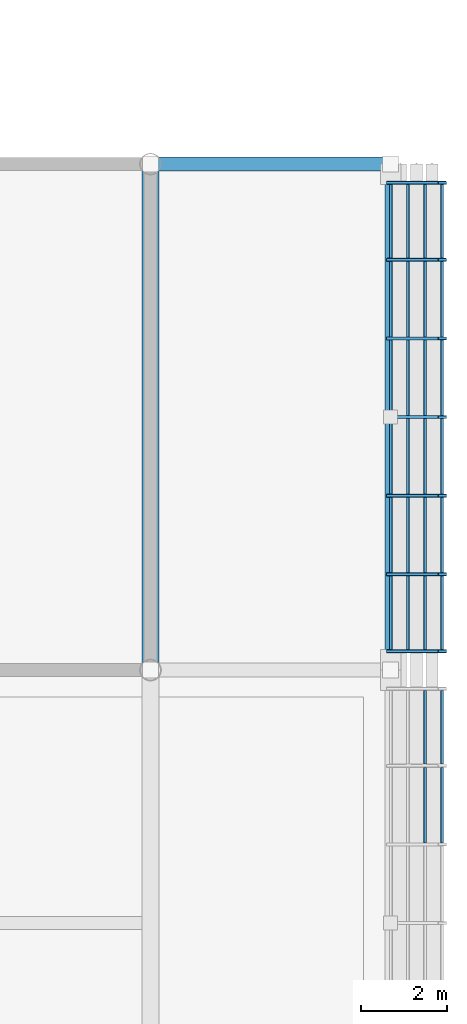
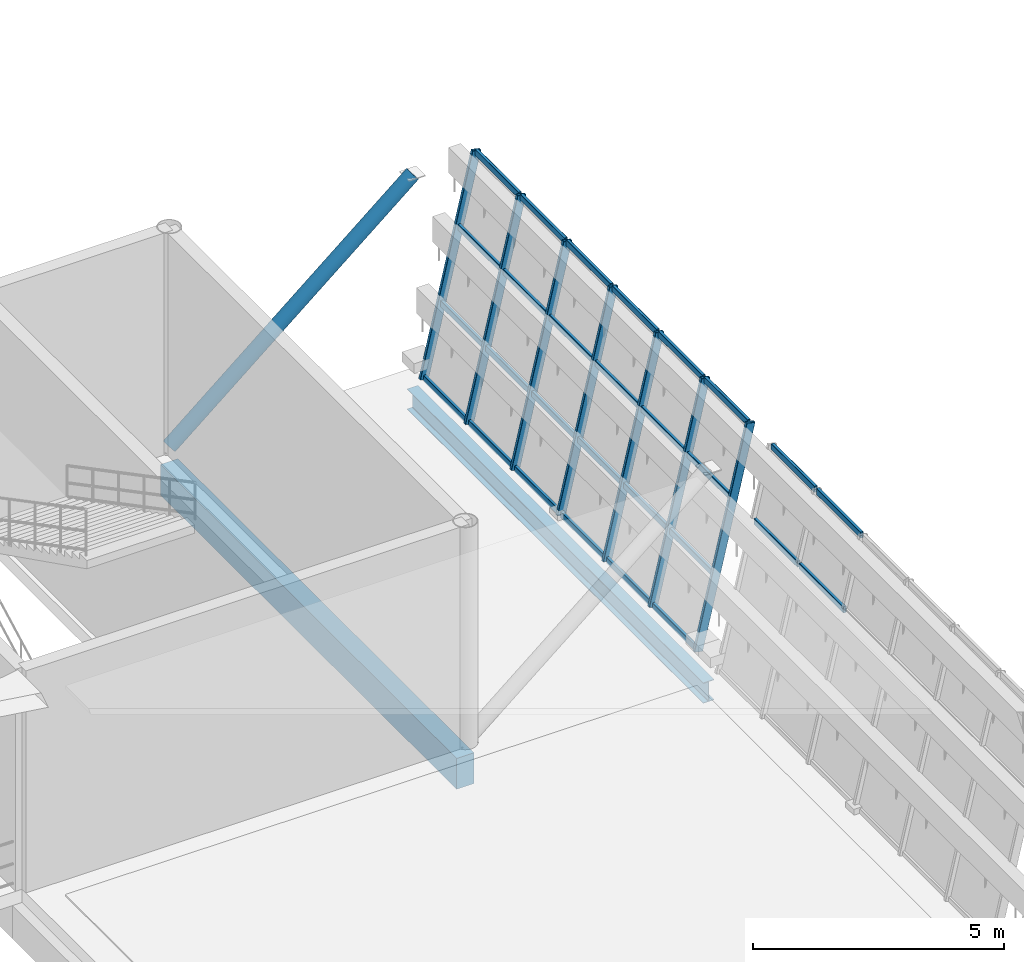
# One storey, part 80 of 175: 36 members, 2 beams, 2 elements without a shape of their own.
"""IFC4 building model written with IfcOpenShell, lengths in metres."""

from ifc_helpers import new_model, si_unit, direction, frame, origin, origin_2d, place, context, subcontext, project, spatial, rectangle, hollow_rectangle, hollow_circle, i_section, extrude, material, material_profile, profile_set, type_object, element, aggregate, save


model = new_model("IFC4")

# Units and contexts
model_context = context("Model", 3, precision=1e-05, world=origin(), true_north=direction((0.0, 1.0)))
body_context = subcontext(model_context, "Body", "Model", "MODEL_VIEW")
ifc_project = project(units=[si_unit("LENGTHUNIT", "METRE"), si_unit("AREAUNIT", "SQUARE_METRE"), si_unit("VOLUMEUNIT", "CUBIC_METRE"), si_unit("PLANEANGLEUNIT", "RADIAN"), si_unit("MASSUNIT", "GRAM", prefix="KILO")], contexts=[model_context])

# Site, building, storey
site_placement = place(None, origin())
site = spatial("IfcSite", under=ifc_project, at=site_placement, CompositionType="ELEMENT")
building_placement = place(site_placement, origin())
building = spatial("IfcBuilding", under=site, at=building_placement, Name="Brelvane Convention Centre", CompositionType="ELEMENT")
storey_placement = place(building_placement, frame((0.0, 0.0, 5.39990234375)))
storey = spatial("IfcBuildingStorey", under=building, at=storey_placement, Name="L01", CompositionType="ELEMENT", Elevation=5.39990234375)

# Curtain wall, members
ifc_material_1 = material(Name="Anodised Aluminium Alloy 6063-T6", Category="aluminium")
curtain_wall_type = type_object("IfcCurtainWallType", Name="Curtain Wall CW-PLEN-E", PredefinedType="USERDEFINED", material=ifc_material_1)
curtain_wall_1_placement = place(storey_placement, origin())
curtain_wall_1 = element("IfcCurtainWall", 1, at=curtain_wall_1_placement, inside=storey, type_object=curtain_wall_type, Name="Curtain Wall CW-PLEN-E L01-HULL-E-L01-6", ObjectType="UNITISED", PredefinedType="USERDEFINED")
ifc_material_2 = material(Name="Anodised Aluminium Alloy 6063-T6", Category="aluminium")
ifc_material_profile_1 = material_profile(ifc_material_2, hollow_rectangle(XDim=0.074951171875, YDim=0.199951171875, WallThickness=0.0048828125, InnerFilletRadius=0.0048828125, OuterFilletRadius=0.010009765625, at=origin_2d()), Name="ALU-M 200x75x5.0")
ifc_profile_set_1 = profile_set([ifc_material_profile_1], Name="Anodised Aluminium Alloy 6063-T6")
member_type_1 = type_object("IfcMemberType", Name="Curtain Mullion CW-M2", PredefinedType="MULLION", material=ifc_profile_set_1)
member_1_placement = place(storey_placement, frame((230.0, 76.4375, 0.0), z_axis=(0.228360162456, 0.0, 0.973576723326), x_axis=(0.0, 1.0, 0.0)))
member_1 = element("IfcMember", 2, at=member_1_placement, type_object=member_type_1, Name="CW-PLEN-E mullion 1", PredefinedType="MULLION", context=body_context, shape_type="SweptSolid", body=[
    extrude(hollow_rectangle(XDim=0.074951171875, YDim=0.199951171875, WallThickness=0.0048828125, InnerFilletRadius=0.0048828125, OuterFilletRadius=0.010009765625, at=origin_2d()), origin(), (0.0, 0.0, 1.0), 5.2900390625),
])
member_2_placement = place(storey_placement, frame((230.0, 78.2333984375, 0.0), z_axis=(0.228360162456, 0.0, 0.973576723326), x_axis=(0.0, 1.0, 0.0)))
member_2 = element("IfcMember", 3, at=member_2_placement, type_object=member_type_1, Name="CW-PLEN-E mullion 2", PredefinedType="MULLION", context=body_context, shape_type="SweptSolid", body=[
    extrude(hollow_rectangle(XDim=0.074951171875, YDim=0.199951171875, WallThickness=0.0048828125, InnerFilletRadius=0.0048828125, OuterFilletRadius=0.010009765625, at=origin_2d()), origin(), (0.0, 0.0, 1.0), 5.2900390625),
])
member_3_placement = place(storey_placement, frame((230.0, 80.066650390625, 0.0), z_axis=(0.228360162456, 0.0, 0.973576723326), x_axis=(0.0, 1.0, 0.0)))
member_3 = element("IfcMember", 4, at=member_3_placement, type_object=member_type_1, Name="CW-PLEN-E mullion 3", PredefinedType="MULLION", context=body_context, shape_type="SweptSolid", body=[
    extrude(hollow_rectangle(XDim=0.074951171875, YDim=0.199951171875, WallThickness=0.0048828125, InnerFilletRadius=0.0048828125, OuterFilletRadius=0.010009765625, at=origin_2d()), origin(), (0.0, 0.0, 1.0), 5.2900390625),
])
member_4_placement = place(storey_placement, frame((230.0, 81.89990234375, 0.0), z_axis=(0.228360162456, 0.0, 0.973576723326), x_axis=(0.0, 1.0, 0.0)))
member_4 = element("IfcMember", 5, at=member_4_placement, type_object=member_type_1, Name="CW-PLEN-E mullion 4", PredefinedType="MULLION", context=body_context, shape_type="SweptSolid", body=[
    extrude(hollow_rectangle(XDim=0.074951171875, YDim=0.199951171875, WallThickness=0.0048828125, InnerFilletRadius=0.0048828125, OuterFilletRadius=0.010009765625, at=origin_2d()), origin(), (0.0, 0.0, 1.0), 5.2900390625),
])
member_5_placement = place(storey_placement, frame((230.0, 83.7333984375, 0.0), z_axis=(0.228360162456, 0.0, 0.973576723326), x_axis=(0.0, 1.0, 0.0)))
member_5 = element("IfcMember", 6, at=member_5_placement, type_object=member_type_1, Name="CW-PLEN-E mullion 5", PredefinedType="MULLION", context=body_context, shape_type="SweptSolid", body=[
    extrude(hollow_rectangle(XDim=0.074951171875, YDim=0.199951171875, WallThickness=0.0048828125, InnerFilletRadius=0.0048828125, OuterFilletRadius=0.010009765625, at=origin_2d()), origin(), (0.0, 0.0, 1.0), 5.2900390625),
])
member_6_placement = place(storey_placement, frame((230.0, 85.566650390625, 0.0), z_axis=(0.228360162456, 0.0, 0.973576723326), x_axis=(0.0, 1.0, 0.0)))
member_6 = element("IfcMember", 7, at=member_6_placement, type_object=member_type_1, Name="CW-PLEN-E mullion 6", PredefinedType="MULLION", context=body_context, shape_type="SweptSolid", body=[
    extrude(hollow_rectangle(XDim=0.074951171875, YDim=0.199951171875, WallThickness=0.0048828125, InnerFilletRadius=0.0048828125, OuterFilletRadius=0.010009765625, at=origin_2d()), origin(), (0.0, 0.0, 1.0), 5.2900390625),
])
member_7_placement = place(storey_placement, frame((230.0, 87.362548828125, 0.0), z_axis=(0.228360162456, 0.0, 0.973576723326), x_axis=(0.0, 1.0, 0.0)))
member_7 = element("IfcMember", 8, at=member_7_placement, type_object=member_type_1, Name="CW-PLEN-E mullion 7", PredefinedType="MULLION", context=body_context, shape_type="SweptSolid", body=[
    extrude(hollow_rectangle(XDim=0.074951171875, YDim=0.199951171875, WallThickness=0.0048828125, InnerFilletRadius=0.0048828125, OuterFilletRadius=0.010009765625, at=origin_2d()), origin(), (0.0, 0.0, 1.0), 5.2900390625),
])

curtain_wall_2_placement = place(storey_placement, origin())
curtain_wall_2 = element("IfcCurtainWall", 9, at=curtain_wall_2_placement, inside=storey, type_object=curtain_wall_type, Name="Curtain Wall CW-PLEN-E L01-HULL-E-L01-5", ObjectType="UNITISED", PredefinedType="USERDEFINED")
ifc_material_3 = material(Name="Anodised Aluminium Alloy 6063-T6", Category="aluminium")
ifc_material_profile_2 = material_profile(ifc_material_3, hollow_rectangle(XDim=0.070068359375, YDim=0.14990234375, WallThickness=0.00439453125, InnerFilletRadius=0.00439453125, OuterFilletRadius=0.009033203125, at=origin_2d()), Name="ALU-T 150x70x4.5")
ifc_profile_set_2 = profile_set([ifc_material_profile_2], Name="Anodised Aluminium Alloy 6063-T6")
member_type_2 = type_object("IfcMemberType", Name="Curtain Transom CW-T2", PredefinedType="USERDEFINED", material=ifc_profile_set_2)
member_8_placement = place(storey_placement, frame((230.80517578125, 71.970947265625, 3.433349609375), z_axis=(0.0, 1.0, 0.0), x_axis=(-1.0, 0.0, 0.0)))
member_8 = element("IfcMember", 10, at=member_8_placement, type_object=member_type_2, Name="CW-PLEN-E transom 5.3", ObjectType="TRANSOM", PredefinedType="USERDEFINED", context=body_context, shape_type="SweptSolid", body=[
    extrude(hollow_rectangle(XDim=0.070068359375, YDim=0.14990234375, WallThickness=0.00439453125, InnerFilletRadius=0.00439453125, OuterFilletRadius=0.009033203125, at=origin_2d()), origin(), (0.0, 0.0, 1.0), 1.75830078125),
])
member_9_placement = place(storey_placement, frame((231.19970703125, 71.970947265625, 5.114990234375), z_axis=(0.0, 1.0, 0.0), x_axis=(-1.0, 0.0, 0.0)))
member_9 = element("IfcMember", 11, at=member_9_placement, type_object=member_type_2, Name="CW-PLEN-E transom 5.4", ObjectType="TRANSOM", PredefinedType="USERDEFINED", context=body_context, shape_type="SweptSolid", body=[
    extrude(hollow_rectangle(XDim=0.070068359375, YDim=0.14990234375, WallThickness=0.00439453125, InnerFilletRadius=0.00439453125, OuterFilletRadius=0.009033203125, at=origin_2d()), origin(), (0.0, 0.0, 1.0), 1.75830078125),
])
member_10_placement = place(storey_placement, frame((230.80517578125, 73.80419921875, 3.433349609375), z_axis=(0.0, 1.0, 0.0), x_axis=(-1.0, 0.0, 0.0)))
member_10 = element("IfcMember", 12, at=member_10_placement, type_object=member_type_2, Name="CW-PLEN-E transom 6.3", ObjectType="TRANSOM", PredefinedType="USERDEFINED", context=body_context, shape_type="SweptSolid", body=[
    extrude(hollow_rectangle(XDim=0.070068359375, YDim=0.14990234375, WallThickness=0.00439453125, InnerFilletRadius=0.00439453125, OuterFilletRadius=0.009033203125, at=origin_2d()), origin(), (0.0, 0.0, 1.0), 1.720703125),
])
member_11_placement = place(storey_placement, frame((231.19970703125, 73.80419921875, 5.114990234375), z_axis=(0.0, 1.0, 0.0), x_axis=(-1.0, 0.0, 0.0)))
member_11 = element("IfcMember", 13, at=member_11_placement, type_object=member_type_2, Name="CW-PLEN-E transom 6.4", ObjectType="TRANSOM", PredefinedType="USERDEFINED", context=body_context, shape_type="SweptSolid", body=[
    extrude(hollow_rectangle(XDim=0.070068359375, YDim=0.14990234375, WallThickness=0.00439453125, InnerFilletRadius=0.00439453125, OuterFilletRadius=0.009033203125, at=origin_2d()), origin(), (0.0, 0.0, 1.0), 1.720703125),
])
aggregate(curtain_wall_2, [member_8, member_9, member_10, member_11])

# Member
member_12_placement = place(storey_placement, frame((230.00830078125, 76.47509765625, 0.03515625), z_axis=(0.0, 1.0, 0.0), x_axis=(-1.0, 0.0, 0.0)))
member_12 = element("IfcMember", 14, at=member_12_placement, type_object=member_type_2, Name="CW-PLEN-E transom 1.1", ObjectType="TRANSOM", PredefinedType="USERDEFINED", context=body_context, shape_type="SweptSolid", body=[
    extrude(hollow_rectangle(XDim=0.070068359375, YDim=0.14990234375, WallThickness=0.00439453125, InnerFilletRadius=0.00439453125, OuterFilletRadius=0.009033203125, at=origin_2d()), origin(), (0.0, 0.0, 1.0), 1.720703125),
])

member_13_placement = place(storey_placement, frame((230.402587890625, 76.47509765625, 1.716796875), z_axis=(0.0, 1.0, 0.0), x_axis=(-1.0, 0.0, 0.0)))
member_13 = element("IfcMember", 15, at=member_13_placement, type_object=member_type_2, Name="CW-PLEN-E transom 1.2", ObjectType="TRANSOM", PredefinedType="USERDEFINED", context=body_context, shape_type="SweptSolid", body=[
    extrude(hollow_rectangle(XDim=0.070068359375, YDim=0.14990234375, WallThickness=0.00439453125, InnerFilletRadius=0.00439453125, OuterFilletRadius=0.009033203125, at=origin_2d()), origin(), (0.0, 0.0, 1.0), 1.720703125),
])

member_14_placement = place(storey_placement, frame((230.80517578125, 76.47509765625, 3.433349609375), z_axis=(0.0, 1.0, 0.0), x_axis=(-1.0, 0.0, 0.0)))
member_14 = element("IfcMember", 16, at=member_14_placement, type_object=member_type_2, Name="CW-PLEN-E transom 1.3", ObjectType="TRANSOM", PredefinedType="USERDEFINED", context=body_context, shape_type="SweptSolid", body=[
    extrude(hollow_rectangle(XDim=0.070068359375, YDim=0.14990234375, WallThickness=0.00439453125, InnerFilletRadius=0.00439453125, OuterFilletRadius=0.009033203125, at=origin_2d()), origin(), (0.0, 0.0, 1.0), 1.720703125),
])

member_15_placement = place(storey_placement, frame((231.19970703125, 76.47509765625, 5.114990234375), z_axis=(0.0, 1.0, 0.0), x_axis=(-1.0, 0.0, 0.0)))
member_15 = element("IfcMember", 17, at=member_15_placement, type_object=member_type_2, Name="CW-PLEN-E transom 1.4", ObjectType="TRANSOM", PredefinedType="USERDEFINED", context=body_context, shape_type="SweptSolid", body=[
    extrude(hollow_rectangle(XDim=0.070068359375, YDim=0.14990234375, WallThickness=0.00439453125, InnerFilletRadius=0.00439453125, OuterFilletRadius=0.009033203125, at=origin_2d()), origin(), (0.0, 0.0, 1.0), 1.720703125),
])

member_16_placement = place(storey_placement, frame((230.00830078125, 78.270751953125, 0.03515625), z_axis=(0.0, 1.0, 0.0), x_axis=(-1.0, 0.0, 0.0)))
member_16 = element("IfcMember", 18, at=member_16_placement, type_object=member_type_2, Name="CW-PLEN-E transom 2.1", ObjectType="TRANSOM", PredefinedType="USERDEFINED", context=body_context, shape_type="SweptSolid", body=[
    extrude(hollow_rectangle(XDim=0.070068359375, YDim=0.14990234375, WallThickness=0.00439453125, InnerFilletRadius=0.00439453125, OuterFilletRadius=0.009033203125, at=origin_2d()), origin(), (0.0, 0.0, 1.0), 1.75830078125),
])

member_17_placement = place(storey_placement, frame((230.402587890625, 78.270751953125, 1.716796875), z_axis=(0.0, 1.0, 0.0), x_axis=(-1.0, 0.0, 0.0)))
member_17 = element("IfcMember", 19, at=member_17_placement, type_object=member_type_2, Name="CW-PLEN-E transom 2.2", ObjectType="TRANSOM", PredefinedType="USERDEFINED", context=body_context, shape_type="SweptSolid", body=[
    extrude(hollow_rectangle(XDim=0.070068359375, YDim=0.14990234375, WallThickness=0.00439453125, InnerFilletRadius=0.00439453125, OuterFilletRadius=0.009033203125, at=origin_2d()), origin(), (0.0, 0.0, 1.0), 1.75830078125),
])

member_18_placement = place(storey_placement, frame((230.80517578125, 78.270751953125, 3.433349609375), z_axis=(0.0, 1.0, 0.0), x_axis=(-1.0, 0.0, 0.0)))
member_18 = element("IfcMember", 20, at=member_18_placement, type_object=member_type_2, Name="CW-PLEN-E transom 2.3", ObjectType="TRANSOM", PredefinedType="USERDEFINED", context=body_context, shape_type="SweptSolid", body=[
    extrude(hollow_rectangle(XDim=0.070068359375, YDim=0.14990234375, WallThickness=0.00439453125, InnerFilletRadius=0.00439453125, OuterFilletRadius=0.009033203125, at=origin_2d()), origin(), (0.0, 0.0, 1.0), 1.75830078125),
])

member_19_placement = place(storey_placement, frame((231.19970703125, 78.270751953125, 5.114990234375), z_axis=(0.0, 1.0, 0.0), x_axis=(-1.0, 0.0, 0.0)))
member_19 = element("IfcMember", 21, at=member_19_placement, type_object=member_type_2, Name="CW-PLEN-E transom 2.4", ObjectType="TRANSOM", PredefinedType="USERDEFINED", context=body_context, shape_type="SweptSolid", body=[
    extrude(hollow_rectangle(XDim=0.070068359375, YDim=0.14990234375, WallThickness=0.00439453125, InnerFilletRadius=0.00439453125, OuterFilletRadius=0.009033203125, at=origin_2d()), origin(), (0.0, 0.0, 1.0), 1.75830078125),
])

member_20_placement = place(storey_placement, frame((230.00830078125, 80.104248046875, 0.03515625), z_axis=(0.0, 1.0, 0.0), x_axis=(-1.0, 0.0, 0.0)))
member_20 = element("IfcMember", 22, at=member_20_placement, type_object=member_type_2, Name="CW-PLEN-E transom 3.1", ObjectType="TRANSOM", PredefinedType="USERDEFINED", context=body_context, shape_type="SweptSolid", body=[
    extrude(hollow_rectangle(XDim=0.070068359375, YDim=0.14990234375, WallThickness=0.00439453125, InnerFilletRadius=0.00439453125, OuterFilletRadius=0.009033203125, at=origin_2d()), origin(), (0.0, 0.0, 1.0), 1.75830078125),
])

member_21_placement = place(storey_placement, frame((230.402587890625, 80.104248046875, 1.716796875), z_axis=(0.0, 1.0, 0.0), x_axis=(-1.0, 0.0, 0.0)))
member_21 = element("IfcMember", 23, at=member_21_placement, type_object=member_type_2, Name="CW-PLEN-E transom 3.2", ObjectType="TRANSOM", PredefinedType="USERDEFINED", context=body_context, shape_type="SweptSolid", body=[
    extrude(hollow_rectangle(XDim=0.070068359375, YDim=0.14990234375, WallThickness=0.00439453125, InnerFilletRadius=0.00439453125, OuterFilletRadius=0.009033203125, at=origin_2d()), origin(), (0.0, 0.0, 1.0), 1.75830078125),
])

member_22_placement = place(storey_placement, frame((230.80517578125, 80.104248046875, 3.433349609375), z_axis=(0.0, 1.0, 0.0), x_axis=(-1.0, 0.0, 0.0)))
member_22 = element("IfcMember", 24, at=member_22_placement, type_object=member_type_2, Name="CW-PLEN-E transom 3.3", ObjectType="TRANSOM", PredefinedType="USERDEFINED", context=body_context, shape_type="SweptSolid", body=[
    extrude(hollow_rectangle(XDim=0.070068359375, YDim=0.14990234375, WallThickness=0.00439453125, InnerFilletRadius=0.00439453125, OuterFilletRadius=0.009033203125, at=origin_2d()), origin(), (0.0, 0.0, 1.0), 1.75830078125),
])

member_23_placement = place(storey_placement, frame((231.19970703125, 80.104248046875, 5.114990234375), z_axis=(0.0, 1.0, 0.0), x_axis=(-1.0, 0.0, 0.0)))
member_23 = element("IfcMember", 25, at=member_23_placement, type_object=member_type_2, Name="CW-PLEN-E transom 3.4", ObjectType="TRANSOM", PredefinedType="USERDEFINED", context=body_context, shape_type="SweptSolid", body=[
    extrude(hollow_rectangle(XDim=0.070068359375, YDim=0.14990234375, WallThickness=0.00439453125, InnerFilletRadius=0.00439453125, OuterFilletRadius=0.009033203125, at=origin_2d()), origin(), (0.0, 0.0, 1.0), 1.75830078125),
])

member_24_placement = place(storey_placement, frame((230.00830078125, 81.9375, 0.03515625), z_axis=(0.0, 1.0, 0.0), x_axis=(-1.0, 0.0, 0.0)))
member_24 = element("IfcMember", 26, at=member_24_placement, type_object=member_type_2, Name="CW-PLEN-E transom 4.1", ObjectType="TRANSOM", PredefinedType="USERDEFINED", context=body_context, shape_type="SweptSolid", body=[
    extrude(hollow_rectangle(XDim=0.070068359375, YDim=0.14990234375, WallThickness=0.00439453125, InnerFilletRadius=0.00439453125, OuterFilletRadius=0.009033203125, at=origin_2d()), origin(), (0.0, 0.0, 1.0), 1.75830078125),
])

member_25_placement = place(storey_placement, frame((230.402587890625, 81.9375, 1.716796875), z_axis=(0.0, 1.0, 0.0), x_axis=(-1.0, 0.0, 0.0)))
member_25 = element("IfcMember", 27, at=member_25_placement, type_object=member_type_2, Name="CW-PLEN-E transom 4.2", ObjectType="TRANSOM", PredefinedType="USERDEFINED", context=body_context, shape_type="SweptSolid", body=[
    extrude(hollow_rectangle(XDim=0.070068359375, YDim=0.14990234375, WallThickness=0.00439453125, InnerFilletRadius=0.00439453125, OuterFilletRadius=0.009033203125, at=origin_2d()), origin(), (0.0, 0.0, 1.0), 1.75830078125),
])

member_26_placement = place(storey_placement, frame((230.80517578125, 81.9375, 3.433349609375), z_axis=(0.0, 1.0, 0.0), x_axis=(-1.0, 0.0, 0.0)))
member_26 = element("IfcMember", 28, at=member_26_placement, type_object=member_type_2, Name="CW-PLEN-E transom 4.3", ObjectType="TRANSOM", PredefinedType="USERDEFINED", context=body_context, shape_type="SweptSolid", body=[
    extrude(hollow_rectangle(XDim=0.070068359375, YDim=0.14990234375, WallThickness=0.00439453125, InnerFilletRadius=0.00439453125, OuterFilletRadius=0.009033203125, at=origin_2d()), origin(), (0.0, 0.0, 1.0), 1.75830078125),
])

member_27_placement = place(storey_placement, frame((231.19970703125, 81.9375, 5.114990234375), z_axis=(0.0, 1.0, 0.0), x_axis=(-1.0, 0.0, 0.0)))
member_27 = element("IfcMember", 29, at=member_27_placement, type_object=member_type_2, Name="CW-PLEN-E transom 4.4", ObjectType="TRANSOM", PredefinedType="USERDEFINED", context=body_context, shape_type="SweptSolid", body=[
    extrude(hollow_rectangle(XDim=0.070068359375, YDim=0.14990234375, WallThickness=0.00439453125, InnerFilletRadius=0.00439453125, OuterFilletRadius=0.009033203125, at=origin_2d()), origin(), (0.0, 0.0, 1.0), 1.75830078125),
])

member_28_placement = place(storey_placement, frame((230.00830078125, 83.770751953125, 0.03515625), z_axis=(0.0, 1.0, 0.0), x_axis=(-1.0, 0.0, 0.0)))
member_28 = element("IfcMember", 30, at=member_28_placement, type_object=member_type_2, Name="CW-PLEN-E transom 5.1", ObjectType="TRANSOM", PredefinedType="USERDEFINED", context=body_context, shape_type="SweptSolid", body=[
    extrude(hollow_rectangle(XDim=0.070068359375, YDim=0.14990234375, WallThickness=0.00439453125, InnerFilletRadius=0.00439453125, OuterFilletRadius=0.009033203125, at=origin_2d()), origin(), (0.0, 0.0, 1.0), 1.75830078125),
])

member_29_placement = place(storey_placement, frame((230.402587890625, 83.770751953125, 1.716796875), z_axis=(0.0, 1.0, 0.0), x_axis=(-1.0, 0.0, 0.0)))
member_29 = element("IfcMember", 31, at=member_29_placement, type_object=member_type_2, Name="CW-PLEN-E transom 5.2", ObjectType="TRANSOM", PredefinedType="USERDEFINED", context=body_context, shape_type="SweptSolid", body=[
    extrude(hollow_rectangle(XDim=0.070068359375, YDim=0.14990234375, WallThickness=0.00439453125, InnerFilletRadius=0.00439453125, OuterFilletRadius=0.009033203125, at=origin_2d()), origin(), (0.0, 0.0, 1.0), 1.75830078125),
])

member_30_placement = place(storey_placement, frame((230.80517578125, 83.770751953125, 3.433349609375), z_axis=(0.0, 1.0, 0.0), x_axis=(-1.0, 0.0, 0.0)))
member_30 = element("IfcMember", 32, at=member_30_placement, type_object=member_type_2, Name="CW-PLEN-E transom 5.3", ObjectType="TRANSOM", PredefinedType="USERDEFINED", context=body_context, shape_type="SweptSolid", body=[
    extrude(hollow_rectangle(XDim=0.070068359375, YDim=0.14990234375, WallThickness=0.00439453125, InnerFilletRadius=0.00439453125, OuterFilletRadius=0.009033203125, at=origin_2d()), origin(), (0.0, 0.0, 1.0), 1.75830078125),
])

member_31_placement = place(storey_placement, frame((231.19970703125, 83.770751953125, 5.114990234375), z_axis=(0.0, 1.0, 0.0), x_axis=(-1.0, 0.0, 0.0)))
member_31 = element("IfcMember", 33, at=member_31_placement, type_object=member_type_2, Name="CW-PLEN-E transom 5.4", ObjectType="TRANSOM", PredefinedType="USERDEFINED", context=body_context, shape_type="SweptSolid", body=[
    extrude(hollow_rectangle(XDim=0.070068359375, YDim=0.14990234375, WallThickness=0.00439453125, InnerFilletRadius=0.00439453125, OuterFilletRadius=0.009033203125, at=origin_2d()), origin(), (0.0, 0.0, 1.0), 1.75830078125),
])

member_32_placement = place(storey_placement, frame((230.00830078125, 85.604248046875, 0.03515625), z_axis=(0.0, 1.0, 0.0), x_axis=(-1.0, 0.0, 0.0)))
member_32 = element("IfcMember", 34, at=member_32_placement, type_object=member_type_2, Name="CW-PLEN-E transom 6.1", ObjectType="TRANSOM", PredefinedType="USERDEFINED", context=body_context, shape_type="SweptSolid", body=[
    extrude(hollow_rectangle(XDim=0.070068359375, YDim=0.14990234375, WallThickness=0.00439453125, InnerFilletRadius=0.00439453125, OuterFilletRadius=0.009033203125, at=origin_2d()), origin(), (0.0, 0.0, 1.0), 1.720703125),
])

member_33_placement = place(storey_placement, frame((230.402587890625, 85.604248046875, 1.716796875), z_axis=(0.0, 1.0, 0.0), x_axis=(-1.0, 0.0, 0.0)))
member_33 = element("IfcMember", 35, at=member_33_placement, type_object=member_type_2, Name="CW-PLEN-E transom 6.2", ObjectType="TRANSOM", PredefinedType="USERDEFINED", context=body_context, shape_type="SweptSolid", body=[
    extrude(hollow_rectangle(XDim=0.070068359375, YDim=0.14990234375, WallThickness=0.00439453125, InnerFilletRadius=0.00439453125, OuterFilletRadius=0.009033203125, at=origin_2d()), origin(), (0.0, 0.0, 1.0), 1.720703125),
])

member_34_placement = place(storey_placement, frame((230.80517578125, 85.604248046875, 3.433349609375), z_axis=(0.0, 1.0, 0.0), x_axis=(-1.0, 0.0, 0.0)))
member_34 = element("IfcMember", 36, at=member_34_placement, type_object=member_type_2, Name="CW-PLEN-E transom 6.3", ObjectType="TRANSOM", PredefinedType="USERDEFINED", context=body_context, shape_type="SweptSolid", body=[
    extrude(hollow_rectangle(XDim=0.070068359375, YDim=0.14990234375, WallThickness=0.00439453125, InnerFilletRadius=0.00439453125, OuterFilletRadius=0.009033203125, at=origin_2d()), origin(), (0.0, 0.0, 1.0), 1.720703125),
])

member_35_placement = place(storey_placement, frame((231.19970703125, 85.604248046875, 5.114990234375), z_axis=(0.0, 1.0, 0.0), x_axis=(-1.0, 0.0, 0.0)))
member_35 = element("IfcMember", 37, at=member_35_placement, type_object=member_type_2, Name="CW-PLEN-E transom 6.4", ObjectType="TRANSOM", PredefinedType="USERDEFINED", context=body_context, shape_type="SweptSolid", body=[
    extrude(hollow_rectangle(XDim=0.070068359375, YDim=0.14990234375, WallThickness=0.00439453125, InnerFilletRadius=0.00439453125, OuterFilletRadius=0.009033203125, at=origin_2d()), origin(), (0.0, 0.0, 1.0), 1.720703125),
])

aggregate(curtain_wall_1, [member_1, member_2, member_3, member_4, member_5, member_6, member_7, member_12, member_13, member_14, member_15, member_16, member_17, member_18, member_19, member_20, member_21, member_22, member_23, member_24, member_25, member_26, member_27, member_28, member_29, member_30, member_31, member_32, member_33, member_34, member_35])

# Beams
ifc_material_4 = material(Name="Concrete M40", Category="concrete")
ifc_material_profile_3 = material_profile(ifc_material_4, rectangle(XDim=0.39990234375, YDim=0.75, at=origin_2d()), Name="RC 400x750")
ifc_profile_set_3 = profile_set([ifc_material_profile_3], Name="Concrete M40")
beam_type_1 = type_object("IfcBeamType", Name="RC Spandrel SP-RC1 (RC 400x750)", PredefinedType="SPANDREL", material=ifc_profile_set_3)
beam_1_placement = place(storey_placement, frame((224.39990234375, 76.0, -0.69482421875), z_axis=(0.0, 1.0, 0.0), x_axis=(-1.0, 0.0, 0.0)))
element("IfcBeam", 38, at=beam_1_placement, inside=storey, type_object=beam_type_1, Name="L01 Girder 23/H-J", PredefinedType="SPANDREL", context=body_context, shape_type="SweptSolid", body=[
    extrude(rectangle(XDim=0.39990234375, YDim=0.75, at=origin_2d()), origin(), (0.0, 0.0, 1.0), 11.800048828125),
])
ifc_material_5 = material(Name="Steel E350 (350 MPa)", Category="steel")
ifc_material_profile_4 = material_profile(ifc_material_5, i_section(OverallWidth=0.25, OverallDepth=0.5, WebThickness=0.010009765625, FlangeThickness=0.0146484375, FilletRadius=0.01611328125, at=origin_2d()), Name="ISWB 500")
ifc_profile_set_4 = profile_set([ifc_material_profile_4], Name="Steel E350 (350 MPa)")
beam_type_2 = type_object("IfcBeamType", Name="Steel Spandrel SP-ST1 (ISWB 500)", PredefinedType="SPANDREL", material=ifc_profile_set_4)
beam_2_placement = place(storey_placement, frame((230.0, 76.0, -0.719970703125), z_axis=(0.0, 1.0, 0.0), x_axis=(-1.0, 0.0, 0.0)))
element("IfcBeam", 39, at=beam_2_placement, inside=storey, type_object=beam_type_2, Name="L01 Plenary Overhang Tip Spandrel 6", PredefinedType="SPANDREL", context=body_context, shape_type="SweptSolid", body=[
    extrude(i_section(OverallWidth=0.25, OverallDepth=0.5, WebThickness=0.010009765625, FlangeThickness=0.0146484375, FilletRadius=0.01611328125, at=origin_2d()), origin(), (0.0, 0.0, 1.0), 11.800048828125),
])

# Member
ifc_material_6 = material(Name="Steel E450 (450 MPa)", Category="steel")
ifc_material_profile_5 = material_profile(ifc_material_6, hollow_circle(Radius=0.161865234375, WallThickness=0.012451171875, at=origin_2d()), Name="CHS 323.9x12.5")
ifc_profile_set_5 = profile_set([ifc_material_profile_5], Name="Steel E450 (450 MPa)")
member_type_3 = type_object("IfcMemberType", Name="Steel Strut HS-ST2 (CHS 323.9x12.5)", PredefinedType="STRUT", material=ifc_profile_set_5)
member_36_placement = place(storey_placement, frame((224.39990234375, 87.800048828125, 0.050048828125), z_axis=(0.767990703815, 0.0, 0.640460989331), x_axis=(0.0, 1.0, 0.0)))
element("IfcMember", 40, at=member_36_placement, inside=storey, type_object=member_type_3, Name="Plenary East Overhang Raked Strut L02 Y87", PredefinedType="STRUT", context=body_context, shape_type="SweptSolid", body=[
    extrude(hollow_circle(Radius=0.161865234375, WallThickness=0.012451171875, at=origin_2d()), origin(), (0.0, 0.0, 1.0), 7.2919921875),
])

save(model, "model.ifc")
